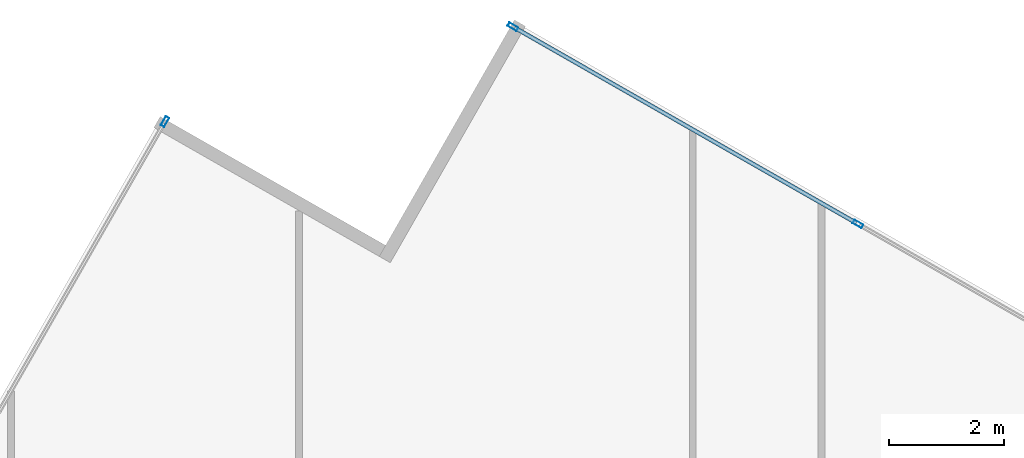
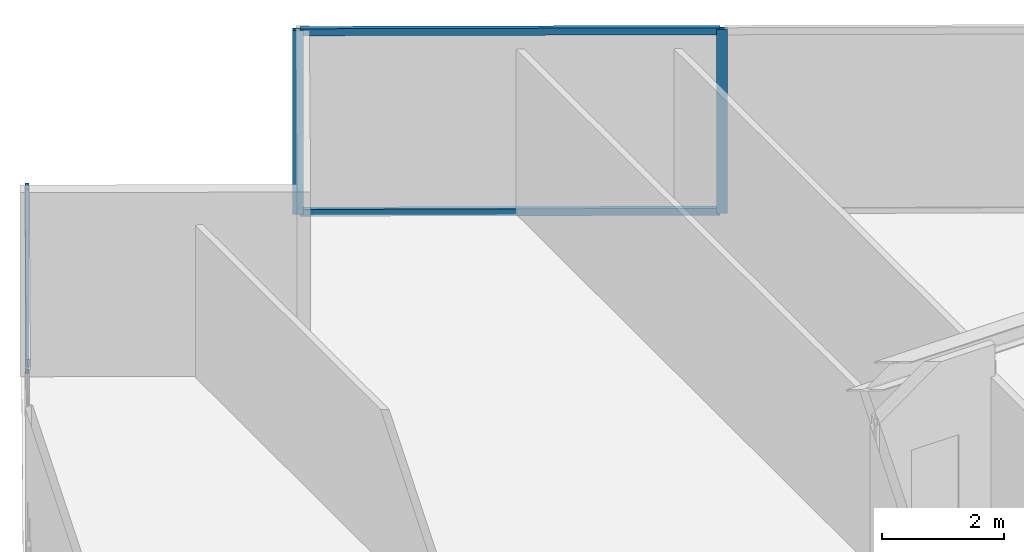
# One storey, part 15 of 24: 5 members, 2 elements without a shape of their own.
"""IFC4 building model written with IfcOpenShell, lengths in metres."""

from ifc_helpers import new_model, si_unit, direction, frame, origin, origin_2d, place, context, subcontext, project, spatial, hollow_rectangle, extrude, source, transform, mapped, material, material_profile, profile_set, type_object, type_shapes, element, aggregate, save


model = new_model("IFC4")

# Units and contexts
model_context = context("Model", 3, precision=1e-05, world=origin(), true_north=direction((0.0, 1.0)))
body_context = subcontext(model_context, "Body", "Model", "MODEL_VIEW")
ifc_project = project(units=[si_unit("LENGTHUNIT", "METRE"), si_unit("AREAUNIT", "SQUARE_METRE"), si_unit("VOLUMEUNIT", "CUBIC_METRE"), si_unit("PLANEANGLEUNIT", "RADIAN"), si_unit("MASSUNIT", "GRAM", prefix="KILO")], contexts=[model_context])

# Site, building, storey
site_placement = place(None, origin())
site = spatial("IfcSite", under=ifc_project, at=site_placement, CompositionType="ELEMENT")
building_placement = place(site_placement, origin())
building = spatial("IfcBuilding", under=site, at=building_placement, Name="Krantzveldt Concourse Tower", CompositionType="ELEMENT")
storey_placement = place(building_placement, frame((0.0, 0.0, 162.0)))
storey = spatial("IfcBuildingStorey", under=building, at=storey_placement, Name="L39", CompositionType="ELEMENT", Elevation=162.0)

# Curtain wall, member
ifc_material = material(Name="Anodised aluminium 6063-T6", Category="aluminium")
curtain_wall_type = type_object("IfcCurtainWallType", Name="CW3", PredefinedType="USERDEFINED", material=ifc_material)
curtain_wall_1_placement = place(storey_placement, origin())
curtain_wall_1 = element("IfcCurtainWall", 1, at=curtain_wall_1_placement, inside=storey, type_object=curtain_wall_type, Name="CW-L39-F01", ObjectType="UNITISED CURTAIN WALL", PredefinedType="USERDEFINED")
ifc_material_profile_1 = material_profile(ifc_material, hollow_rectangle(XDim=0.070068359375, YDim=0.179931640625, WallThickness=0.0048828125, at=origin_2d()), Name="Anodised aluminium 6063-T6", Category="aluminium")
ifc_profile_set_1 = profile_set([ifc_material_profile_1], Name="Anodised aluminium 6063-T6 - ALU-MULL 180x70x5")
member_type_1 = type_object("IfcMemberType", Name="CW-MUL-180", PredefinedType="MULLION", material=ifc_profile_set_1)
shared_shape_1 = source(origin(), body_context, "Body", "SweptSolid", [
    extrude(hollow_rectangle(XDim=0.070068359375, YDim=0.179931640625, WallThickness=0.0048828125, at=origin_2d()), origin(), (0.0, 0.0, 1.0), 3.669921875),
])
type_shapes(member_type_1, [shared_shape_1])
member_1_placement = place(storey_placement, frame((25.681396484375, 52.5986328125, 0.0), z_axis=(0.0, 0.0, 1.0), x_axis=(0.868198885255, -0.496216379861, 0.0)))
member_1 = element("IfcMember", 2, at=member_1_placement, type_object=member_type_1, Name="CW-Z34 mullion 1", PredefinedType="MULLION", context=body_context, shape_type="MappedRepresentation", body=[
    mapped(shared_shape_1, transform((0.0, 0.0, 0.0), x_axis=(1.0, 0.0, 0.0), y_axis=(0.0, 1.0, 0.0), z_axis=(0.0, 0.0, 1.0), scale=1.0)),
])
aggregate(curtain_wall_1, [member_1])

# Curtain wall, members
curtain_wall_2_placement = place(storey_placement, origin())
curtain_wall_2 = element("IfcCurtainWall", 3, at=curtain_wall_2_placement, inside=storey, type_object=curtain_wall_type, Name="CW-L39-F14", ObjectType="UNITISED CURTAIN WALL", PredefinedType="USERDEFINED")
member_2_placement = place(storey_placement, frame((37.758544921875, 50.81591796875, 0.0), z_axis=(0.0, 0.0, 1.0), x_axis=(-0.496216394392, -0.868198876949, 0.0)))
member_2 = element("IfcMember", 4, at=member_2_placement, type_object=member_type_1, Name="CW-Z34 mullion 5", PredefinedType="MULLION", context=body_context, shape_type="MappedRepresentation", body=[
    mapped(shared_shape_1, transform((0.0, 0.0, 0.0), x_axis=(1.0, 0.0, 0.0), y_axis=(0.0, 1.0, 0.0), z_axis=(0.0, 0.0, 1.0), scale=1.0)),
])
member_3_placement = place(storey_placement, frame((31.74609375, 54.252197265625, 0.0), z_axis=(0.0, 0.0, 1.0), x_axis=(-0.496216394392, -0.868198876949, 0.0)))
member_3 = element("IfcMember", 5, at=member_3_placement, type_object=member_type_1, Name="CW-Z34 mullion 6", PredefinedType="MULLION", context=body_context, shape_type="MappedRepresentation", body=[
    mapped(shared_shape_1, transform((0.0, 0.0, 0.0), x_axis=(1.0, 0.0, 0.0), y_axis=(0.0, 1.0, 0.0), z_axis=(0.0, 0.0, 1.0), scale=1.0)),
])
ifc_material_profile_2 = material_profile(ifc_material, hollow_rectangle(XDim=0.070068359375, YDim=0.139892578125, WallThickness=0.0048828125, at=origin_2d()), Name="Anodised aluminium 6063-T6", Category="aluminium")
ifc_profile_set_2 = profile_set([ifc_material_profile_2], Name="Anodised aluminium 6063-T6 - ALU-TRAN 140x70x5")
member_type_2 = type_object("IfcMemberType", Name="CW-TRN-150", PredefinedType="USERDEFINED", material=ifc_profile_set_2)
shared_shape_2 = source(origin(), body_context, "Body", "SweptSolid", [
    extrude(hollow_rectangle(XDim=0.070068359375, YDim=0.139892578125, WallThickness=0.0048828125, at=origin_2d()), origin(), (0.0, 0.0, 1.0), 6.85498046875),
])
type_shapes(member_type_2, [shared_shape_2])
member_4_placement = place(storey_placement, frame((37.72802734375, 50.833251953125, 0.034912109375), z_axis=(-0.868192728379, 0.496227152008, 0.0), x_axis=(-0.496227152008, -0.868192728379, 0.0)))
member_4 = element("IfcMember", 6, at=member_4_placement, type_object=member_type_2, Name="CW-Z34 transom 5.1", ObjectType="TRANSOM", PredefinedType="USERDEFINED", context=body_context, shape_type="MappedRepresentation", body=[
    mapped(shared_shape_2, transform((0.0, 0.0, 0.0), x_axis=(1.0, 0.0, 0.0), y_axis=(0.0, 1.0, 0.0), z_axis=(0.0, 0.0, 1.0), scale=1.0)),
])
member_5_placement = place(storey_placement, frame((37.72802734375, 50.833251953125, 3.635009765625), z_axis=(-0.868192728379, 0.496227152008, 0.0), x_axis=(-0.496227152008, -0.868192728379, 0.0)))
member_5 = element("IfcMember", 7, at=member_5_placement, type_object=member_type_2, Name="CW-Z34 transom 5.2", ObjectType="TRANSOM", PredefinedType="USERDEFINED", context=body_context, shape_type="MappedRepresentation", body=[
    mapped(shared_shape_2, transform((0.0, 0.0, 0.0), x_axis=(1.0, 0.0, 0.0), y_axis=(0.0, 1.0, 0.0), z_axis=(0.0, 0.0, 1.0), scale=1.0)),
])
aggregate(curtain_wall_2, [member_2, member_3, member_4, member_5])

save(model, "model.ifc")
